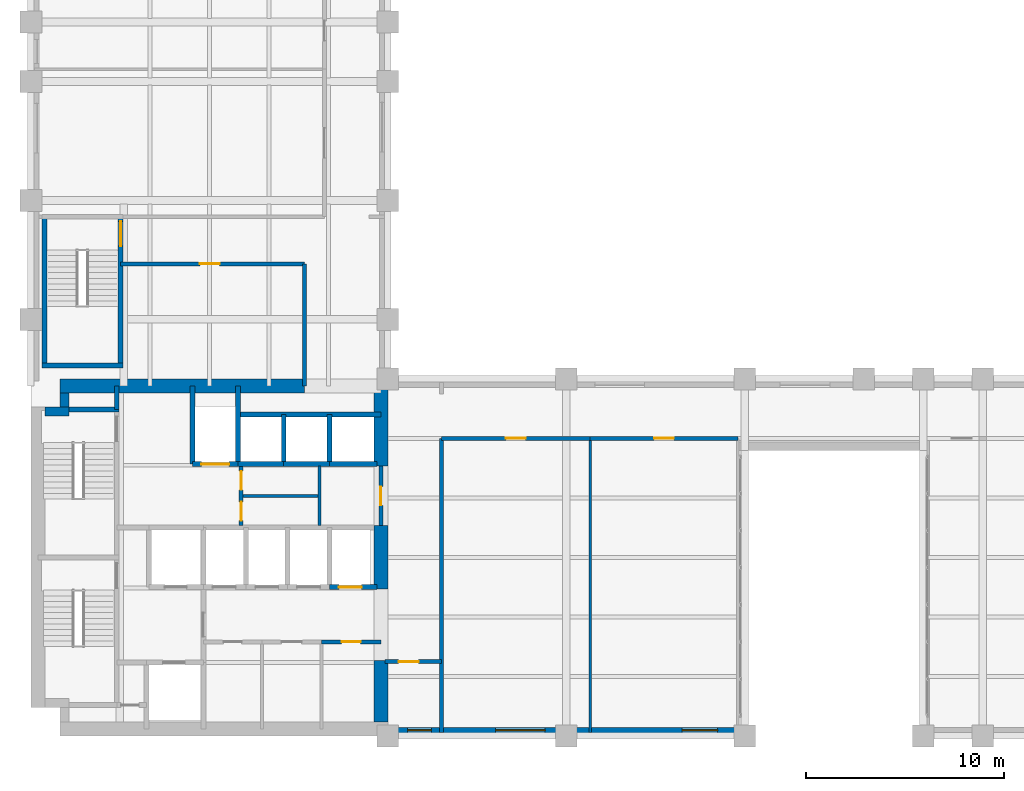
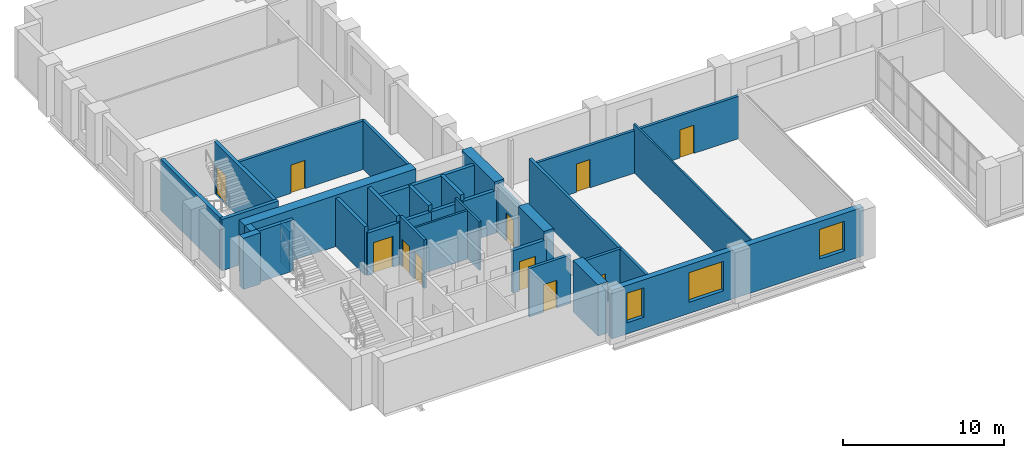
# One storey, part 7 of 10: 34 walls, 11 doors, 3 windows, 14 openings.
"""IFC4 building model written with IfcOpenShell, lengths in metres."""

from ifc_helpers import new_model, si_unit, direction, frame, frame_2d, origin, place, context, subcontext, project, spatial, rectangle, extrude, material, layer, layer_set, type_object, element, fill, save


model = new_model("IFC4")

# Units and contexts
model_context = context("Model", 3, precision=1e-05, world=origin(), true_north=direction((0.0, 1.0)))
body_context = subcontext(model_context, "Body", "Model", "MODEL_VIEW")
ifc_project = project(units=[si_unit("LENGTHUNIT", "METRE"), si_unit("AREAUNIT", "SQUARE_METRE"), si_unit("VOLUMEUNIT", "CUBIC_METRE"), si_unit("PLANEANGLEUNIT", "RADIAN"), si_unit("MASSUNIT", "GRAM", prefix="KILO")], contexts=[model_context])

# Site, building, storey
site_placement = place(None, origin())
site = spatial("IfcSite", under=ifc_project, at=site_placement, CompositionType="ELEMENT")
building_placement = place(site_placement, origin())
building = spatial("IfcBuilding", under=site, at=building_placement, Name="Mawjdan Bourse Tower", CompositionType="ELEMENT")
storey_placement = place(building_placement, frame((0.0, 0.0, 124.5)))
storey = spatial("IfcBuildingStorey", under=building, at=storey_placement, Name="L29", CompositionType="ELEMENT", Elevation=124.5)

# Wall, openings, windows
ifc_material_1 = material(Name="Brick Masonry Buff", Category="masonry")
ifc_layer_1 = layer(ifc_material_1, 0.419921875)
ifc_layer_set_1 = layer_set([ifc_layer_1], Name="Brick Masonry Buff")
wall_type_1 = type_object("IfcWallType", Name="WL-BRK-BUFF-420", PredefinedType="STANDARD", material=ifc_layer_set_1)
wall_1_placement = place(storey_placement, frame((23.89990234375, 3.2099609375, 0.0), z_axis=(0.0, 0.0, 1.0), x_axis=(1.0, 0.0, 0.0)))
wall_1 = element("IfcWall", 1, at=wall_1_placement, inside=storey, type_object=wall_type_1, Name="L29 Exterior Brick Wall 1", PredefinedType="STANDARD", context=body_context, shape_type="SweptSolid", body=[
    extrude(rectangle(XDim=18.10009765625, YDim=0.419921875, at=frame_2d((9.050048828125, 0.0))), origin(), (0.0, 0.0, 1.0), 3.699951171875),
])
opening_1_placement = place(wall_1_placement, frame((5.53759765625, 0.0, 0.85009765625)))
opening_1 = element("IfcOpeningElement", 2, at=opening_1_placement, cuts=wall_1, Name="Opening W-L29-01", PredefinedType="OPENING", context=body_context, shape_type="SweptSolid", body=[
    extrude(rectangle(XDim=2.5, YDim=2.25, at=frame_2d((1.25, 1.125))), frame((0.0, 0.219970703125, 0.0), z_axis=(0.0, -1.0, 0.0), x_axis=(1.0, 0.0, 0.0)), (0.0, 0.0, 1.0), 0.43994140625),
])
opening_2_placement = place(wall_1_placement, frame((14.9375, 0.0, 0.85009765625)))
opening_2 = element("IfcOpeningElement", 3, at=opening_2_placement, cuts=wall_1, Name="Opening W-L29-02", PredefinedType="OPENING", context=body_context, shape_type="SweptSolid", body=[
    extrude(rectangle(XDim=1.800048828125, YDim=2.25, at=frame_2d((0.89990234375, 1.125))), frame((0.0, 0.219970703125, 0.0), z_axis=(0.0, -1.0, 0.0), x_axis=(1.0, 0.0, 0.0)), (0.0, 0.0, 1.0), 0.43994140625),
])
opening_3_placement = place(wall_1_placement, frame((1.10009765625, 0.0, 0.85009765625)))
opening_3 = element("IfcOpeningElement", 4, at=opening_3_placement, cuts=wall_1, Name="Opening W-L29-10", PredefinedType="OPENING", context=body_context, shape_type="SweptSolid", body=[
    extrude(rectangle(XDim=1.199951171875, YDim=2.25, at=frame_2d((0.60009765625, 1.125))), frame((0.0, 0.219970703125, 0.0), z_axis=(0.0, -1.0, 0.0), x_axis=(1.0, 0.0, 0.0)), (0.0, 0.0, 1.0), 0.43994140625),
])
ifc_material_2 = material(Name="Solar-Control Clear Double Glazing", Category="glass")
window_type_1 = type_object("IfcWindowType", Name="WN-Z2-1200", PartitioningType="SINGLE_PANEL", PredefinedType="WINDOW", material=ifc_material_2)
window_1_placement = place(opening_3_placement, origin())
window_1 = element("IfcWindow", 5, at=window_1_placement, inside=storey, type_object=window_type_1, Name="L29 Deep-Set Masonry Window W-L29-10", OverallHeight=2.25, OverallWidth=1.199951171875, PartitioningType="SINGLE_PANEL", PredefinedType="WINDOW", context=body_context, shape_type="SweptSolid", body=[
    extrude(rectangle(XDim=1.199951171875, YDim=2.25, at=frame_2d((0.60009765625, 1.125))), frame((0.0, 0.110107421875, 0.0), z_axis=(0.0, -1.0, 0.0), x_axis=(1.0, 0.0, 0.0)), (0.0, 0.0, 1.0), 0.06005859375),
])
fill(opening_3, window_1)
window_type_2 = type_object("IfcWindowType", Name="WN-Z2-1800", PartitioningType="SINGLE_PANEL", PredefinedType="WINDOW", material=ifc_material_2)
window_2_placement = place(opening_2_placement, origin())
window_2 = element("IfcWindow", 6, at=window_2_placement, inside=storey, type_object=window_type_2, Name="L29 Deep-Set Masonry Window W-L29-02", OverallHeight=2.25, OverallWidth=1.800048828125, PartitioningType="SINGLE_PANEL", PredefinedType="WINDOW", context=body_context, shape_type="SweptSolid", body=[
    extrude(rectangle(XDim=1.800048828125, YDim=2.25, at=frame_2d((0.89990234375, 1.125))), frame((0.0, 0.110107421875, 0.0), z_axis=(0.0, -1.0, 0.0), x_axis=(1.0, 0.0, 0.0)), (0.0, 0.0, 1.0), 0.06005859375),
])
fill(opening_2, window_2)
window_type_3 = type_object("IfcWindowType", Name="WN-Z2-2500", PartitioningType="SINGLE_PANEL", PredefinedType="WINDOW", material=ifc_material_2)
window_3_placement = place(opening_1_placement, origin())
window_3 = element("IfcWindow", 7, at=window_3_placement, inside=storey, type_object=window_type_3, Name="L29 Deep-Set Masonry Window W-L29-01", OverallHeight=2.25, OverallWidth=2.5, PartitioningType="SINGLE_PANEL", PredefinedType="WINDOW", context=body_context, shape_type="SweptSolid", body=[
    extrude(rectangle(XDim=2.5, YDim=2.25, at=frame_2d((1.25, 1.125))), frame((0.0, 0.110107421875, 0.0), z_axis=(0.0, -1.0, 0.0), x_axis=(1.0, 0.0, 0.0)), (0.0, 0.0, 1.0), 0.06005859375),
])
fill(opening_1, window_3)

# Wall, opening, door
ifc_material_3 = material(Name="Gypsum Fireboard Assembly")
ifc_layer_2 = layer(ifc_material_3, 0.199951171875)
ifc_layer_set_2 = layer_set([ifc_layer_2], Name="Gypsum Fireboard Assembly")
wall_type_2 = type_object("IfcWallType", Name="WL-CMP-200", PredefinedType="PARTITIONING", material=ifc_layer_set_2)
wall_2_placement = place(storey_placement, frame((20.64990234375, 7.739990234375, 0.0), z_axis=(0.0, 0.0, 1.0), x_axis=(1.0, 0.0, 0.0)))
wall_2 = element("IfcWall", 8, at=wall_2_placement, inside=storey, type_object=wall_type_2, Name="L29 Staff Refreshment Pantry North Wall", PredefinedType="PARTITIONING", context=body_context, shape_type="SweptSolid", body=[
    extrude(rectangle(XDim=3.0, YDim=0.199951171875, at=frame_2d((1.5, 0.0))), origin(), (0.0, 0.0, 1.0), 3.68994140625),
])
opening_4_placement = place(wall_2_placement, frame((1.02490234375, 0.0, 0.0)))
opening_4 = element("IfcOpeningElement", 9, at=opening_4_placement, cuts=wall_2, Name="Opening D-L29-12", PredefinedType="OPENING", context=body_context, shape_type="SweptSolid", body=[
    extrude(rectangle(XDim=0.949951171875, YDim=2.10009765625, at=frame_2d((0.47509765625, 1.050048828125))), frame((0.0, 0.10986328125, 0.0), z_axis=(0.0, -1.0, 0.0), x_axis=(1.0, 0.0, 0.0)), (0.0, 0.0, 1.0), 0.219970703125),
])
ifc_material_4 = material(Name="Moisture-Resistant Laminate Timber", Category="wood")
door_type_1 = type_object("IfcDoorType", Name="DR-WET-0950", OperationType="NOTDEFINED", PredefinedType="DOOR", material=ifc_material_4)
door_1_placement = place(opening_4_placement, origin())
door_1 = element("IfcDoor", 10, at=door_1_placement, inside=storey, type_object=door_type_1, Name="L29 Staff Refreshment Pantry Door D-L29-12", OperationType="SINGLE_SWING_RIGHT", OverallHeight=2.10009765625, OverallWidth=0.949951171875, PredefinedType="DOOR", context=body_context, shape_type="SweptSolid", body=[
    extrude(rectangle(XDim=0.949951171875, YDim=2.10009765625, at=frame_2d((0.47509765625, 1.050048828125))), frame((0.0, 0.02490234375, 0.0), z_axis=(0.0, -1.0, 0.0), x_axis=(1.0, 0.0, 0.0)), (0.0, 0.0, 1.0), 0.050048828125),
])
fill(opening_4, door_1)

# Wall, openings, doors
wall_3_placement = place(storey_placement, frame((16.60009765625, 13.60009765625, 0.0), z_axis=(0.0, 0.0, 1.0), x_axis=(0.0, 1.0, 0.0)))
wall_3 = element("IfcWall", 11, at=wall_3_placement, inside=storey, type_object=wall_type_2, Name="L29 Core Restroom West Wall", PredefinedType="PARTITIONING", context=body_context, shape_type="SweptSolid", body=[
    extrude(rectangle(XDim=3.0, YDim=0.199951171875, at=frame_2d((1.5, 0.0))), origin(), (0.0, 0.0, 1.0), 3.68994140625),
])
opening_5_placement = place(wall_3_placement, frame((0.25, 0.0, 0.0)))
opening_5 = element("IfcOpeningElement", 12, at=opening_5_placement, cuts=wall_3, Name="Opening D-L29-17", PredefinedType="OPENING", context=body_context, shape_type="SweptSolid", body=[
    extrude(rectangle(XDim=0.949951171875, YDim=2.10009765625, at=frame_2d((0.47509765625, 1.050048828125))), frame((0.0, 0.10986328125, 0.0), z_axis=(0.0, -1.0, 0.0), x_axis=(1.0, 0.0, 0.0)), (0.0, 0.0, 1.0), 0.219970703125),
])
opening_6_placement = place(wall_3_placement, frame((1.800048828125, 0.0, 0.0)))
opening_6 = element("IfcOpeningElement", 13, at=opening_6_placement, cuts=wall_3, Name="Opening D-L29-18", PredefinedType="OPENING", context=body_context, shape_type="SweptSolid", body=[
    extrude(rectangle(XDim=0.949951171875, YDim=2.10009765625, at=frame_2d((0.47509765625, 1.050048828125))), frame((0.0, 0.10986328125, 0.0), z_axis=(0.0, -1.0, 0.0), x_axis=(1.0, 0.0, 0.0)), (0.0, 0.0, 1.0), 0.219970703125),
])
door_2_placement = place(opening_5_placement, origin())
door_2 = element("IfcDoor", 14, at=door_2_placement, inside=storey, type_object=door_type_1, Name="L29 Accessible WC West Entry Door D-L29-17", OperationType="SINGLE_SWING_LEFT", OverallHeight=2.10009765625, OverallWidth=0.949951171875, PredefinedType="DOOR", context=body_context, shape_type="SweptSolid", body=[
    extrude(rectangle(XDim=0.949951171875, YDim=2.10009765625, at=frame_2d((0.47509765625, 1.050048828125))), frame((0.0, 0.02490234375, 0.0), z_axis=(0.0, -1.0, 0.0), x_axis=(1.0, 0.0, 0.0)), (0.0, 0.0, 1.0), 0.050048828125),
])
fill(opening_5, door_2)
door_3_placement = place(opening_6_placement, origin())
door_3 = element("IfcDoor", 15, at=door_3_placement, inside=storey, type_object=door_type_1, Name="L29 Male Restroom West Entry Door D-L29-18", OperationType="SINGLE_SWING_RIGHT", OverallHeight=2.10009765625, OverallWidth=0.949951171875, PredefinedType="DOOR", context=body_context, shape_type="SweptSolid", body=[
    extrude(rectangle(XDim=0.949951171875, YDim=2.10009765625, at=frame_2d((0.47509765625, 1.050048828125))), frame((0.0, 0.02490234375, 0.0), z_axis=(0.0, -1.0, 0.0), x_axis=(1.0, 0.0, 0.0)), (0.0, 0.0, 1.0), 0.050048828125),
])
fill(opening_6, door_3)

# Wall, opening, door
wall_4_placement = place(storey_placement, frame((23.64990234375, 13.60009765625, 0.0), z_axis=(0.0, 0.0, 1.0), x_axis=(0.0, 1.0, 0.0)))
wall_4 = element("IfcWall", 16, at=wall_4_placement, inside=storey, type_object=wall_type_2, Name="L29 Core Restroom East Enclosing Wall", PredefinedType="PARTITIONING", context=body_context, shape_type="SweptSolid", body=[
    extrude(rectangle(XDim=3.0, YDim=0.199951171875, at=frame_2d((1.5, 0.0))), origin(), (0.0, 0.0, 1.0), 3.68994140625),
])
opening_7_placement = place(wall_4_placement, frame((1.02001953125, 0.0, 0.0)))
opening_7 = element("IfcOpeningElement", 17, at=opening_7_placement, cuts=wall_4, Name="Opening D-L29-19", PredefinedType="OPENING", context=body_context, shape_type="SweptSolid", body=[
    extrude(rectangle(XDim=0.949951171875, YDim=2.10009765625, at=frame_2d((0.47509765625, 1.050048828125))), frame((0.0, 0.10986328125, 0.0), z_axis=(0.0, -1.0, 0.0), x_axis=(1.0, 0.0, 0.0)), (0.0, 0.0, 1.0), 0.219970703125),
])
door_4_placement = place(opening_7_placement, origin())
door_4 = element("IfcDoor", 18, at=door_4_placement, inside=storey, type_object=door_type_1, Name="L29 Female Restroom East Entry Door D-L29-19", OperationType="SINGLE_SWING_LEFT", OverallHeight=2.10009765625, OverallWidth=0.949951171875, PredefinedType="DOOR", context=body_context, shape_type="SweptSolid", body=[
    extrude(rectangle(XDim=0.949951171875, YDim=2.10009765625, at=frame_2d((0.47509765625, 1.050048828125))), frame((0.0, 0.02490234375, 0.0), z_axis=(0.0, -1.0, 0.0), x_axis=(1.0, 0.0, 0.0)), (0.0, 0.0, 1.0), 0.050048828125),
])
fill(opening_7, door_4)

wall_5_placement = place(storey_placement, frame((23.85009765625, 6.75, 0.0), z_axis=(0.0, 0.0, 1.0), x_axis=(1.0, 0.0, 0.0)))
wall_5 = element("IfcWall", 19, at=wall_5_placement, inside=storey, type_object=wall_type_2, Name="L29 West Pocket North Wall", PredefinedType="PARTITIONING", context=body_context, shape_type="SweptSolid", body=[
    extrude(rectangle(XDim=2.849853515625, YDim=0.199951171875, at=frame_2d((1.4248046875, 0.0))), origin(), (0.0, 0.0, 1.0), 3.68994140625),
])
opening_8_placement = place(wall_5_placement, frame((0.699951171875, 0.0, 0.0)))
opening_8 = element("IfcOpeningElement", 20, at=opening_8_placement, cuts=wall_5, Name="Opening D-L29-21", PredefinedType="OPENING", context=body_context, shape_type="SweptSolid", body=[
    extrude(rectangle(XDim=1.0, YDim=2.14990234375, at=frame_2d((0.5, 1.074951171875))), frame((0.0, 0.10986328125, 0.0), z_axis=(0.0, -1.0, 0.0), x_axis=(1.0, 0.0, 0.0)), (0.0, 0.0, 1.0), 0.219970703125),
])
ifc_material_5 = material(Name="Hardwood Acoustic Leaf", Category="wood")
door_type_2 = type_object("IfcDoorType", Name="DR-OFC-1000", OperationType="NOTDEFINED", PredefinedType="DOOR", material=ifc_material_5)
door_5_placement = place(opening_8_placement, origin())
door_5 = element("IfcDoor", 21, at=door_5_placement, inside=storey, type_object=door_type_2, Name="L29 West Pocket Office Door D-L29-21", OperationType="SINGLE_SWING_LEFT", OverallHeight=2.14990234375, OverallWidth=1.0, PredefinedType="DOOR", context=body_context, shape_type="SweptSolid", body=[
    extrude(rectangle(XDim=1.0, YDim=2.14990234375, at=frame_2d((0.5, 1.074951171875))), frame((0.0, 0.02490234375, 0.0), z_axis=(0.0, -1.0, 0.0), x_axis=(1.0, 0.0, 0.0)), (0.0, 0.0, 1.0), 0.050048828125),
])
fill(opening_8, door_5)

# Wall
wall_6_placement = place(storey_placement, frame((26.699951171875, 3.179931640625, 0.0), z_axis=(0.0, 0.0, 1.0), x_axis=(0.0, 1.0, 0.0)))
element("IfcWall", 22, at=wall_6_placement, inside=storey, type_object=wall_type_2, Name="L29 Vestibule South East Wall", PredefinedType="PARTITIONING", context=body_context, shape_type="SweptSolid", body=[
    extrude(rectangle(XDim=14.820068359375, YDim=0.199951171875, at=frame_2d((7.41015625, 0.0))), origin(), (0.0, 0.0, 1.0), 3.68994140625),
])

# Wall, opening, door
wall_7_placement = place(storey_placement, frame((26.699951171875, 18.0, 0.0), z_axis=(0.0, 0.0, 1.0), x_axis=(1.0, 0.0, 0.0)))
wall_7 = element("IfcWall", 23, at=wall_7_placement, inside=storey, type_object=wall_type_2, Name="L29 Portal Sky Lounge Corridor Wall", PredefinedType="PARTITIONING", context=body_context, shape_type="SweptSolid", body=[
    extrude(rectangle(XDim=7.5, YDim=0.199951171875, at=frame_2d((3.75, 0.0))), origin(), (0.0, 0.0, 1.0), 3.23291015625),
])
opening_9_placement = place(wall_7_placement, frame((3.25, 0.0, 0.0)))
opening_9 = element("IfcOpeningElement", 24, at=opening_9_placement, cuts=wall_7, Name="Opening D-L29-22", PredefinedType="OPENING", context=body_context, shape_type="SweptSolid", body=[
    extrude(rectangle(XDim=1.0, YDim=2.14990234375, at=frame_2d((0.5, 1.074951171875))), frame((0.0, 0.10986328125, 0.0), z_axis=(0.0, -1.0, 0.0), x_axis=(1.0, 0.0, 0.0)), (0.0, 0.0, 1.0), 0.219970703125),
])
door_6_placement = place(opening_9_placement, origin())
door_6 = element("IfcDoor", 25, at=door_6_placement, inside=storey, type_object=door_type_2, Name="L29 Portal Sky Lounge Door D-L29-22", OperationType="SINGLE_SWING_RIGHT", OverallHeight=2.14990234375, OverallWidth=1.0, PredefinedType="DOOR", context=body_context, shape_type="SweptSolid", body=[
    extrude(rectangle(XDim=1.0, YDim=2.14990234375, at=frame_2d((0.5, 1.074951171875))), frame((0.0, 0.02490234375, 0.0), z_axis=(0.0, -1.0, 0.0), x_axis=(1.0, 0.0, 0.0)), (0.0, 0.0, 1.0), 0.050048828125),
])
fill(opening_9, door_6)

wall_8_placement = place(storey_placement, frame((34.199951171875, 18.0, 0.0), z_axis=(0.0, 0.0, 1.0), x_axis=(1.0, 0.0, 0.0)))
wall_8 = element("IfcWall", 26, at=wall_8_placement, inside=storey, type_object=wall_type_2, Name="L29 Brokerage Executive Suite Corridor Wall", PredefinedType="PARTITIONING", context=body_context, shape_type="SweptSolid", body=[
    extrude(rectangle(XDim=7.449951171875, YDim=0.199951171875, at=frame_2d((3.72509765625, 0.0))), origin(), (0.0, 0.0, 1.0), 3.23291015625),
])
opening_10_placement = place(wall_8_placement, frame((3.22509765625, 0.0, 0.0)))
opening_10 = element("IfcOpeningElement", 27, at=opening_10_placement, cuts=wall_8, Name="Opening D-L29-23", PredefinedType="OPENING", context=body_context, shape_type="SweptSolid", body=[
    extrude(rectangle(XDim=1.0, YDim=2.14990234375, at=frame_2d((0.5, 1.074951171875))), frame((0.0, 0.10986328125, 0.0), z_axis=(0.0, -1.0, 0.0), x_axis=(1.0, 0.0, 0.0)), (0.0, 0.0, 1.0), 0.219970703125),
])
door_7_placement = place(opening_10_placement, origin())
door_7 = element("IfcDoor", 28, at=door_7_placement, inside=storey, type_object=door_type_2, Name="L29 Brokerage Executive Suite Door D-L29-23", OperationType="SINGLE_SWING_LEFT", OverallHeight=2.14990234375, OverallWidth=1.0, PredefinedType="DOOR", context=body_context, shape_type="SweptSolid", body=[
    extrude(rectangle(XDim=1.0, YDim=2.14990234375, at=frame_2d((0.5, 1.074951171875))), frame((0.0, 0.02490234375, 0.0), z_axis=(0.0, -1.0, 0.0), x_axis=(1.0, 0.0, 0.0)), (0.0, 0.0, 1.0), 0.050048828125),
])
fill(opening_10, door_7)

wall_9_placement = place(storey_placement, frame((10.52001953125, 26.800048828125, 0.0), z_axis=(0.0, 0.0, 1.0), x_axis=(1.0, 0.0, 0.0)))
wall_9 = element("IfcWall", 29, at=wall_9_placement, inside=storey, type_object=wall_type_2, Name="L29 North Throat North Wall", PredefinedType="PARTITIONING", context=body_context, shape_type="SweptSolid", body=[
    extrude(rectangle(XDim=9.280029296875, YDim=0.199951171875, at=frame_2d((4.64013671875, 0.0))), origin(), (0.0, 0.0, 1.0), 3.68994140625),
])
opening_11_placement = place(wall_9_placement, frame((4.0, 0.0, 0.0)))
opening_11 = element("IfcOpeningElement", 30, at=opening_11_placement, cuts=wall_9, Name="Opening D-L29-26", PredefinedType="OPENING", context=body_context, shape_type="SweptSolid", body=[
    extrude(rectangle(XDim=1.0, YDim=2.14990234375, at=frame_2d((0.5, 1.074951171875))), frame((0.0, 0.10986328125, 0.0), z_axis=(0.0, -1.0, 0.0), x_axis=(1.0, 0.0, 0.0)), (0.0, 0.0, 1.0), 0.219970703125),
])
door_8_placement = place(opening_11_placement, origin())
door_8 = element("IfcDoor", 31, at=door_8_placement, inside=storey, type_object=door_type_2, Name="L29 North Throat Suite Door D-L29-26", OperationType="SINGLE_SWING_RIGHT", OverallHeight=2.14990234375, OverallWidth=1.0, PredefinedType="DOOR", context=body_context, shape_type="SweptSolid", body=[
    extrude(rectangle(XDim=1.0, YDim=2.14990234375, at=frame_2d((0.5, 1.074951171875))), frame((0.0, 0.02490234375, 0.0), z_axis=(0.0, -1.0, 0.0), x_axis=(1.0, 0.0, 0.0)), (0.0, 0.0, 1.0), 0.050048828125),
])
fill(opening_11, door_8)

# Walls
wall_10_placement = place(storey_placement, frame((19.800048828125, 20.64990234375, 0.0), z_axis=(0.0, 0.0, 1.0), x_axis=(0.0, 1.0, 0.0)))
element("IfcWall", 32, at=wall_10_placement, inside=storey, type_object=wall_type_2, Name="L29 North Throat East Wall", PredefinedType="PARTITIONING", context=body_context, shape_type="SweptSolid", body=[
    extrude(rectangle(XDim=6.150146484375, YDim=0.199951171875, at=frame_2d((3.0751953125, 0.0))), origin(), (0.0, 0.0, 1.0), 3.68994140625),
])
ifc_material_6 = material(Name="Concrete C60/75", Category="concrete")
ifc_layer_3 = layer(ifc_material_6, 0.449951171875)
ifc_layer_set_3 = layer_set([ifc_layer_3], Name="Concrete C60/75")
wall_type_3 = type_object("IfcWallType", Name="WL-CORE-450", PredefinedType="SHEAR", material=ifc_layer_set_3)
wall_11_placement = place(storey_placement, frame((6.699951171875, 19.35009765625, 0.0), z_axis=(0.0, 0.0, 1.0), x_axis=(1.0, 0.0, 0.0)))
element("IfcWall", 33, at=wall_11_placement, inside=storey, type_object=wall_type_3, Name="L29 Rear Core Shear Wall NW-X", PredefinedType="SHEAR", context=body_context, shape_type="SweptSolid", body=[
    extrude(rectangle(XDim=1.22509765625, YDim=0.449951171875, at=frame_2d((0.612548828125, 0.0))), origin(), (0.0, 0.0, 1.0), 3.89990234375),
])
wall_12_placement = place(storey_placement, frame((7.699951171875, 19.574951171875, 0.0), z_axis=(0.0, 0.0, 1.0), x_axis=(0.0, 1.0, 0.0)))
element("IfcWall", 34, at=wall_12_placement, inside=storey, type_object=wall_type_3, Name="L29 Rear Core Shear Wall NW-Y", PredefinedType="SHEAR", context=body_context, shape_type="SweptSolid", body=[
    extrude(rectangle(XDim=0.72509765625, YDim=0.449951171875, at=frame_2d((0.362548828125, 0.0))), origin(), (0.0, 0.0, 1.0), 3.89990234375),
])
ifc_material_7 = material(Name="Concrete C70/85", Category="concrete")
ifc_layer_4 = layer(ifc_material_7, 0.699951171875)
ifc_layer_set_4 = layer_set([ifc_layer_4], Name="Concrete C70/85")
wall_type_4 = type_object("IfcWallType", Name="WL-CORE-700", PredefinedType="SHEAR", material=ifc_layer_set_4)
wall_13_placement = place(storey_placement, frame((7.47509765625, 20.64990234375, 0.0), z_axis=(0.0, 0.0, 1.0), x_axis=(1.0, 0.0, 0.0)))
element("IfcWall", 35, at=wall_13_placement, inside=storey, type_object=wall_type_4, Name="L29 Rear Core Shear Wall N", PredefinedType="SHEAR", context=body_context, shape_type="SweptSolid", body=[
    extrude(rectangle(XDim=12.324951171875, YDim=0.699951171875, at=frame_2d((6.16259765625, 0.0))), origin(), (0.0, 0.0, 1.0), 3.89990234375),
])
wall_14_placement = place(storey_placement, frame((23.64990234375, 3.699951171875, 0.0), z_axis=(0.0, 0.0, 1.0), x_axis=(0.0, 1.0, 0.0)))
element("IfcWall", 36, at=wall_14_placement, inside=storey, type_object=wall_type_4, Name="L29 Rear Core Shear Wall E1", PredefinedType="SHEAR", context=body_context, shape_type="SweptSolid", body=[
    extrude(rectangle(XDim=3.10009765625, YDim=0.699951171875, at=frame_2d((1.550048828125, 0.0))), origin(), (0.0, 0.0, 1.0), 3.89990234375),
])
wall_15_placement = place(storey_placement, frame((23.64990234375, 10.39990234375, 0.0), z_axis=(0.0, 0.0, 1.0), x_axis=(0.0, 1.0, 0.0)))
element("IfcWall", 37, at=wall_15_placement, inside=storey, type_object=wall_type_4, Name="L29 Rear Core Shear Wall E2", PredefinedType="SHEAR", context=body_context, shape_type="SweptSolid", body=[
    extrude(rectangle(XDim=3.2001953125, YDim=0.699951171875, at=frame_2d((1.60009765625, 0.0))), origin(), (0.0, 0.0, 1.0), 3.89990234375),
])
wall_16_placement = place(storey_placement, frame((23.64990234375, 16.60009765625, 0.0), z_axis=(0.0, 0.0, 1.0), x_axis=(0.0, 1.0, 0.0)))
element("IfcWall", 38, at=wall_16_placement, inside=storey, type_object=wall_type_4, Name="L29 Rear Core Shear Wall E3", PredefinedType="SHEAR", context=body_context, shape_type="SweptSolid", body=[
    extrude(rectangle(XDim=4.0498046875, YDim=0.699951171875, at=frame_2d((2.02490234375, 0.0))), origin(), (0.0, 0.0, 1.0), 3.89990234375),
])
ifc_material_8 = material(Name="Gypsum Partition")
ifc_layer_5 = layer(ifc_material_8, 0.125)
ifc_layer_set_5 = layer_set([ifc_layer_5], Name="Gypsum Partition")
wall_type_5 = type_object("IfcWallType", Name="WL-PRT-125", PredefinedType="PARTITIONING", material=ifc_layer_set_5)
wall_17_placement = place(storey_placement, frame((34.199951171875, 3.179931640625, 0.0), z_axis=(0.0, 0.0, 1.0), x_axis=(0.0, 1.0, 0.0)))
element("IfcWall", 39, at=wall_17_placement, inside=storey, type_object=wall_type_5, Name="L29 Brokerage Executive Suite Partition", PredefinedType="PARTITIONING", context=body_context, shape_type="SweptSolid", body=[
    extrude(rectangle(XDim=14.820068359375, YDim=0.125, at=frame_2d((7.41015625, 0.0))), origin(), (0.0, 0.0, 1.0), 3.68994140625),
])
ifc_material_9 = material(Name="Gypsum Acoustic Partition")
ifc_layer_6 = layer(ifc_material_9, 0.14990234375)
ifc_layer_set_6 = layer_set([ifc_layer_6], Name="Gypsum Acoustic Partition")
wall_type_6 = type_object("IfcWallType", Name="WL-PRT-150", PredefinedType="PARTITIONING", material=ifc_layer_set_6)
wall_18_placement = place(storey_placement, frame((16.60009765625, 15.10009765625, 0.0), z_axis=(0.0, 0.0, 1.0), x_axis=(1.0, 0.0, 0.0)))
element("IfcWall", 40, at=wall_18_placement, inside=storey, type_object=wall_type_6, Name="L29 Core Restroom West Horizontal Split", PredefinedType="PARTITIONING", context=body_context, shape_type="SweptSolid", body=[
    extrude(rectangle(XDim=3.949951171875, YDim=0.14990234375, at=frame_2d((1.97509765625, 0.0))), origin(), (0.0, 0.0, 1.0), 3.68994140625),
])
wall_19_placement = place(storey_placement, frame((20.550048828125, 13.60009765625, 0.0), z_axis=(0.0, 0.0, 1.0), x_axis=(0.0, 1.0, 0.0)))
element("IfcWall", 41, at=wall_19_placement, inside=storey, type_object=wall_type_6, Name="L29 Core Restroom Vertical Split", PredefinedType="PARTITIONING", context=body_context, shape_type="SweptSolid", body=[
    extrude(rectangle(XDim=3.0, YDim=0.14990234375, at=frame_2d((1.5, 0.0))), origin(), (0.0, 0.0, 1.0), 3.68994140625),
])
ifc_material_10 = material(Name="Concrete C50/60", Category="concrete")
ifc_layer_7 = layer(ifc_material_10, 0.25)
ifc_layer_set_7 = layer_set([ifc_layer_7], Name="Concrete C50/60")
wall_type_7 = type_object("IfcWallType", Name="WL-SHFT-250", PredefinedType="PARTITIONING", material=ifc_layer_set_7)
wall_20_placement = place(storey_placement, frame((10.330078125, 19.449951171875, 0.0), z_axis=(0.0, 0.0, 1.0), x_axis=(0.0, 1.0, 0.0)))
element("IfcWall", 42, at=wall_20_placement, inside=storey, type_object=wall_type_7, Name="L29 NW Riser East Wall", PredefinedType="PARTITIONING", context=body_context, shape_type="SweptSolid", body=[
    extrude(rectangle(XDim=1.199951171875, YDim=0.25, at=frame_2d((0.60009765625, 0.0))), origin(), (0.0, 0.0, 1.0), 2.993896484375),
])

# Wall, opening, door
wall_21_placement = place(storey_placement, frame((14.14990234375, 16.699951171875, 0.0), z_axis=(0.0, 0.0, 1.0), x_axis=(1.0, 0.0, 0.0)))
wall_21 = element("IfcWall", 43, at=wall_21_placement, inside=storey, type_object=wall_type_7, Name="L29 SVL-01 Front Shaft Wall", PredefinedType="PARTITIONING", context=body_context, shape_type="SweptSolid", body=[
    extrude(rectangle(XDim=2.300048828125, YDim=0.25, at=frame_2d((1.14990234375, 0.0))), origin(), (0.0, 0.0, 1.0), 3.23291015625),
])
opening_12_placement = place(wall_21_placement, frame((0.449951171875, 0.0, 0.0)))
opening_12 = element("IfcOpeningElement", 44, at=opening_12_placement, cuts=wall_21, Name="Opening LD-L29-09", PredefinedType="OPENING", context=body_context, shape_type="SweptSolid", body=[
    extrude(rectangle(XDim=1.39990234375, YDim=2.35009765625, at=frame_2d((0.699951171875, 1.175048828125))), frame((0.0, 0.135009765625, 0.0), z_axis=(0.0, -1.0, 0.0), x_axis=(1.0, 0.0, 0.0)), (0.0, 0.0, 1.0), 0.27001953125),
])
ifc_material_11 = material(Name="Heavy-Duty Stainless Steel", Category="steel")
door_type_3 = type_object("IfcDoorType", Name="LD-SRV-1400", OperationType="DOUBLE_DOOR_SLIDING", PredefinedType="DOOR", material=ifc_material_11)
door_9_placement = place(opening_12_placement, origin())
door_9 = element("IfcDoor", 45, at=door_9_placement, inside=storey, type_object=door_type_3, Name="L29 Service Lift SVL-01 Landing Door LD-L29-09", OperationType="DOUBLE_DOOR_SLIDING", OverallHeight=2.35009765625, OverallWidth=1.39990234375, PredefinedType="DOOR", context=body_context, shape_type="SweptSolid", body=[
    extrude(rectangle(XDim=1.39990234375, YDim=2.35009765625, at=frame_2d((0.699951171875, 1.175048828125))), frame((0.0, 0.02490234375, 0.0), z_axis=(0.0, -1.0, 0.0), x_axis=(1.0, 0.0, 0.0)), (0.0, 0.0, 1.0), 0.050048828125),
])
fill(opening_12, door_9)

# Walls
for number, where, z_axis, x_axis, name in (
    (46, (14.14990234375, 16.699951171875, 0.0), (0.0, 0.0, 1.0), (0.0, 1.0, 0.0), "L29 SVL-01 West Shaft Wall"),
    (47, (16.449951171875, 16.699951171875, 0.0), (0.0, 0.0, 1.0), (0.0, 1.0, 0.0), "L29 SVL-01 East Shaft Wall"),
):
    element("IfcWall", number, at=place(storey_placement, frame(where, z_axis=z_axis, x_axis=x_axis)), inside=storey, type_object=wall_type_7, Name=name, PredefinedType="PARTITIONING", context=body_context, shape_type="SweptSolid", body=[
        extrude(rectangle(XDim=3.949951171875, YDim=0.25, at=frame_2d((1.97509765625, 0.0))), origin(), (0.0, 0.0, 1.0), 3.68994140625),
    ])
wall_22_placement = place(storey_placement, frame((16.449951171875, 16.699951171875, 0.0), z_axis=(0.0, 0.0, 1.0), x_axis=(1.0, 0.0, 0.0)))
element("IfcWall", 48, at=wall_22_placement, inside=storey, type_object=wall_type_7, Name="L29 PH-01 Front Wall", PredefinedType="PARTITIONING", context=body_context, shape_type="SweptSolid", body=[
    extrude(rectangle(XDim=2.300048828125, YDim=0.25, at=frame_2d((1.14990234375, 0.0))), origin(), (0.0, 0.0, 1.0), 3.23291015625),
])
wall_23_placement = place(storey_placement, frame((18.75, 16.699951171875, 0.0), z_axis=(0.0, 0.0, 1.0), x_axis=(0.0, 1.0, 0.0)))
element("IfcWall", 49, at=wall_23_placement, inside=storey, type_object=wall_type_7, Name="L29 PH-01 Divider Wall", PredefinedType="PARTITIONING", context=body_context, shape_type="SweptSolid", body=[
    extrude(rectangle(XDim=2.5, YDim=0.25, at=frame_2d((1.25, 0.0))), origin(), (0.0, 0.0, 1.0), 3.68994140625),
])
wall_24_placement = place(storey_placement, frame((18.75, 16.699951171875, 0.0), z_axis=(0.0, 0.0, 1.0), x_axis=(1.0, 0.0, 0.0)))
element("IfcWall", 50, at=wall_24_placement, inside=storey, type_object=wall_type_7, Name="L29 PH-02 Front Wall", PredefinedType="PARTITIONING", context=body_context, shape_type="SweptSolid", body=[
    extrude(rectangle(XDim=2.300048828125, YDim=0.25, at=frame_2d((1.14990234375, 0.0))), origin(), (0.0, 0.0, 1.0), 3.23291015625),
])
wall_25_placement = place(storey_placement, frame((21.050048828125, 16.699951171875, 0.0), z_axis=(0.0, 0.0, 1.0), x_axis=(0.0, 1.0, 0.0)))
element("IfcWall", 51, at=wall_25_placement, inside=storey, type_object=wall_type_7, Name="L29 PH-02 Divider Wall", PredefinedType="PARTITIONING", context=body_context, shape_type="SweptSolid", body=[
    extrude(rectangle(XDim=2.5, YDim=0.25, at=frame_2d((1.25, 0.0))), origin(), (0.0, 0.0, 1.0), 3.68994140625),
])
wall_26_placement = place(storey_placement, frame((21.050048828125, 16.699951171875, 0.0), z_axis=(0.0, 0.0, 1.0), x_axis=(1.0, 0.0, 0.0)))
element("IfcWall", 52, at=wall_26_placement, inside=storey, type_object=wall_type_7, Name="L29 PH-03 Front Wall", PredefinedType="PARTITIONING", context=body_context, shape_type="SweptSolid", body=[
    extrude(rectangle(XDim=2.39990234375, YDim=0.25, at=frame_2d((1.199951171875, 0.0))), origin(), (0.0, 0.0, 1.0), 3.23291015625),
])
wall_27_placement = place(storey_placement, frame((16.449951171875, 19.199951171875, 0.0), z_axis=(0.0, 0.0, 1.0), x_axis=(1.0, 0.0, 0.0)))
element("IfcWall", 53, at=wall_27_placement, inside=storey, type_object=wall_type_7, Name="L29 PH Bank North Shaft Back Wall", PredefinedType="PARTITIONING", context=body_context, shape_type="SweptSolid", body=[
    extrude(rectangle(XDim=7.199951171875, YDim=0.25, at=frame_2d((3.60009765625, 0.0))), origin(), (0.0, 0.0, 1.0), 3.68994140625),
])

# Wall, opening, door
wall_28_placement = place(storey_placement, frame((21.050048828125, 10.5, 0.0), z_axis=(0.0, 0.0, 1.0), x_axis=(1.0, 0.0, 0.0)))
wall_28 = element("IfcWall", 54, at=wall_28_placement, inside=storey, type_object=wall_type_7, Name="L29 PM-04 Front Wall", PredefinedType="PARTITIONING", context=body_context, shape_type="SweptSolid", body=[
    extrude(rectangle(XDim=2.39990234375, YDim=0.25, at=frame_2d((1.199951171875, 0.0))), origin(), (0.0, 0.0, 1.0), 3.23291015625),
])
opening_13_placement = place(wall_28_placement, frame((0.47998046875, 0.0, 0.0)))
opening_13 = element("IfcOpeningElement", 55, at=opening_13_placement, cuts=wall_28, Name="Opening LD-L29-16", PredefinedType="OPENING", context=body_context, shape_type="SweptSolid", body=[
    extrude(rectangle(XDim=1.14990234375, YDim=2.25, at=frame_2d((0.574951171875, 1.125))), frame((0.0, 0.135009765625, 0.0), z_axis=(0.0, -1.0, 0.0), x_axis=(1.0, 0.0, 0.0)), (0.0, 0.0, 1.0), 0.27001953125),
])
ifc_material_12 = material(Name="Brushed Stainless Steel", Category="steel")
door_type_4 = type_object("IfcDoorType", Name="LD-PAS-1150", OperationType="DOUBLE_DOOR_SLIDING", PredefinedType="DOOR", material=ifc_material_12)
door_10_placement = place(opening_13_placement, origin())
door_10 = element("IfcDoor", 56, at=door_10_placement, inside=storey, type_object=door_type_4, Name="L29 Lift PM-04 Landing Door LD-L29-16", OperationType="DOUBLE_DOOR_SLIDING", OverallHeight=2.25, OverallWidth=1.14990234375, PredefinedType="DOOR", context=body_context, shape_type="SweptSolid", body=[
    extrude(rectangle(XDim=1.14990234375, YDim=2.25, at=frame_2d((0.574951171875, 1.125))), frame((0.0, 0.02490234375, 0.0), z_axis=(0.0, -1.0, 0.0), x_axis=(1.0, 0.0, 0.0)), (0.0, 0.0, 1.0), 0.050048828125),
])
fill(opening_13, door_10)

# Walls
ifc_layer_8 = layer(ifc_material_10, 0.25)
ifc_layer_set_8 = layer_set([ifc_layer_8], Name="Concrete C50/60")
wall_type_8 = type_object("IfcWallType", Name="WL-STRW-250", PredefinedType="SHEAR", material=ifc_layer_set_8)
wall_29_placement = place(storey_placement, frame((7.699951171875, 19.449951171875, 0.0), z_axis=(0.0, 0.0, 1.0), x_axis=(1.0, 0.0, 0.0)))
element("IfcWall", 57, at=wall_29_placement, inside=storey, type_object=wall_type_8, Name="L29 Stairwell ST2 North Shaft Wall", PredefinedType="SHEAR", context=body_context, shape_type="SweptSolid", body=[
    extrude(rectangle(XDim=2.755126953125, YDim=0.25, at=frame_2d((1.37744140625, 0.0))), origin(), (0.0, 0.0, 1.0), 3.89990234375),
])
wall_30_placement = place(storey_placement, frame((6.554931640625, 21.679931640625, 0.0), z_axis=(0.0, 0.0, 1.0), x_axis=(1.0, 0.0, 0.0)))
element("IfcWall", 58, at=wall_30_placement, inside=storey, type_object=wall_type_8, Name="L29 ST3 South Shaft Wall", PredefinedType="SHEAR", context=body_context, shape_type="SweptSolid", body=[
    extrude(rectangle(XDim=4.090087890625, YDim=0.25, at=frame_2d((2.044921875, 0.0))), origin(), (0.0, 0.0, 1.0), 3.89990234375),
])
wall_31_placement = place(storey_placement, frame((6.679931640625, 21.679931640625, 0.0), z_axis=(0.0, 0.0, 1.0), x_axis=(0.0, 1.0, 0.0)))
element("IfcWall", 59, at=wall_31_placement, inside=storey, type_object=wall_type_8, Name="L29 ST3 West Shaft Wall", PredefinedType="SHEAR", context=body_context, shape_type="SweptSolid", body=[
    extrude(rectangle(XDim=7.5, YDim=0.25, at=frame_2d((3.75, 0.0))), origin(), (0.0, 0.0, 1.0), 3.89990234375),
])

# Wall, opening, door
wall_32_placement = place(storey_placement, frame((10.52001953125, 21.679931640625, 0.0), z_axis=(0.0, 0.0, 1.0), x_axis=(0.0, 1.0, 0.0)))
wall_32 = element("IfcWall", 60, at=wall_32_placement, inside=storey, type_object=wall_type_8, Name="L29 ST3 East Shaft Wall", PredefinedType="SHEAR", context=body_context, shape_type="SweptSolid", body=[
    extrude(rectangle(XDim=7.5, YDim=0.25, at=frame_2d((3.75, 0.0))), origin(), (0.0, 0.0, 1.0), 3.89990234375),
])
opening_14_placement = place(wall_32_placement, frame((6.02001953125, 0.0, 0.0)))
opening_14 = element("IfcOpeningElement", 61, at=opening_14_placement, cuts=wall_32, Name="Opening SD-L29-20", PredefinedType="OPENING", context=body_context, shape_type="SweptSolid", body=[
    extrude(rectangle(XDim=1.25, YDim=2.199951171875, at=frame_2d((0.625, 1.10009765625))), frame((0.0, 0.135009765625, 0.0), z_axis=(0.0, -1.0, 0.0), x_axis=(1.0, 0.0, 0.0)), (0.0, 0.0, 1.0), 0.27001953125),
])
ifc_material_13 = material(Name="Fire-Rated Steel Leaf", Category="steel")
door_type_5 = type_object("IfcDoorType", Name="FD-ST-1250", OperationType="NOTDEFINED", PredefinedType="DOOR", material=ifc_material_13)
door_11_placement = place(opening_14_placement, origin())
door_11 = element("IfcDoor", 62, at=door_11_placement, inside=storey, type_object=door_type_5, Name="L29 Stair ST3 Fire Door SD-L29-20", OperationType="SINGLE_SWING_RIGHT", OverallHeight=2.199951171875, OverallWidth=1.25, PredefinedType="DOOR", context=body_context, shape_type="SweptSolid", body=[
    extrude(rectangle(XDim=1.25, YDim=2.199951171875, at=frame_2d((0.625, 1.10009765625))), frame((0.0, 0.02490234375, 0.0), z_axis=(0.0, -1.0, 0.0), x_axis=(1.0, 0.0, 0.0)), (0.0, 0.0, 1.0), 0.050048828125),
])
fill(opening_14, door_11)

save(model, "model.ifc")
